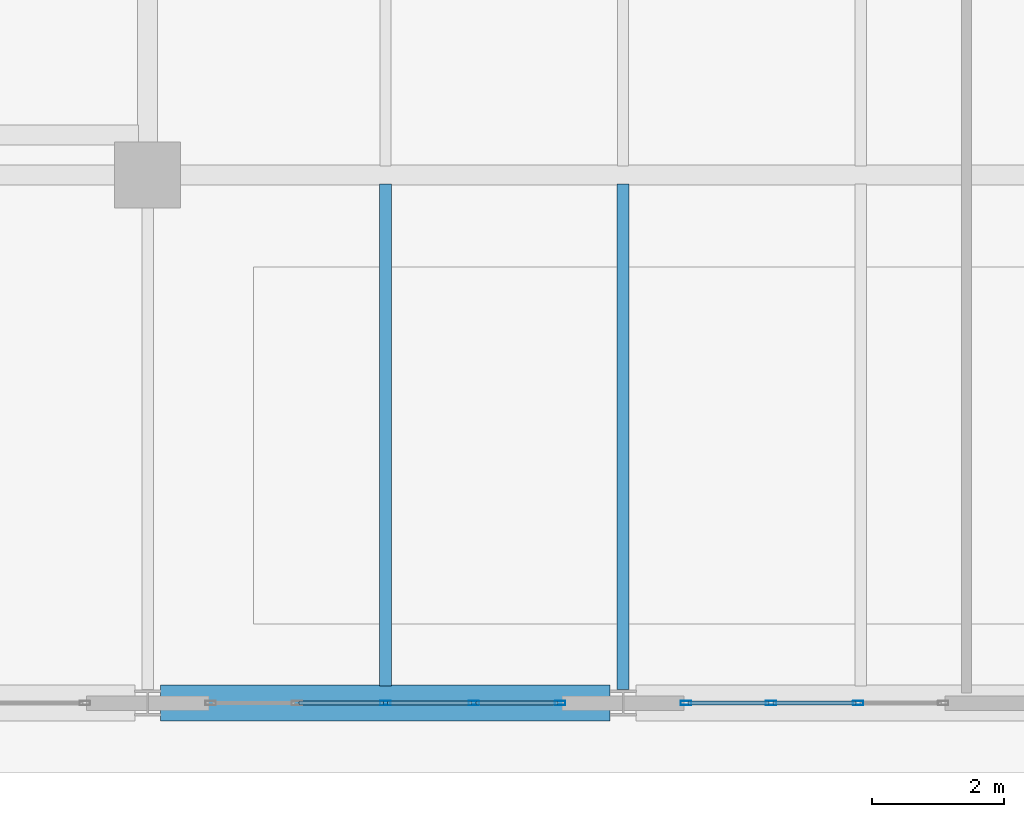
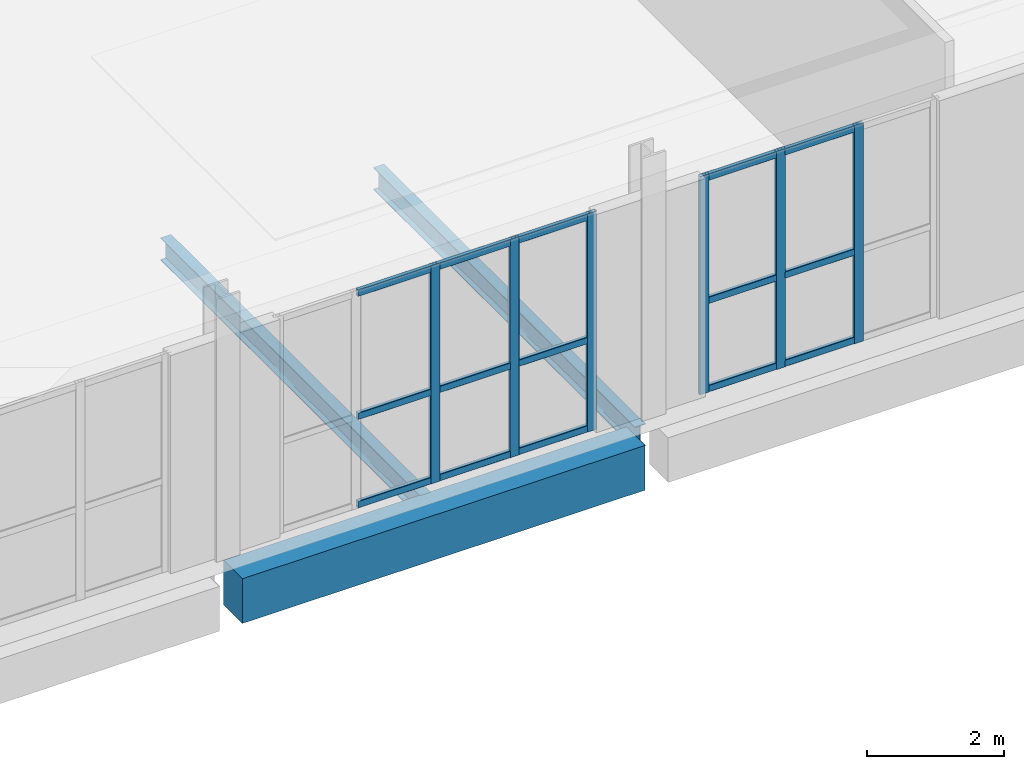
# One storey, part 15 of 36: 21 members, 3 beams, 2 elements without a shape of their own.
"""IFC4 building model written with IfcOpenShell, lengths in metres."""

from ifc_helpers import new_model, si_unit, direction, frame, origin, origin_2d, place, context, subcontext, project, spatial, rectangle, hollow_rectangle, i_section, extrude, material, layer, layer_set, material_profile, profile_set, type_object, element, aggregate, save


model = new_model("IFC4")

# Units and contexts
model_context = context("Model", 3, precision=1e-05, world=origin(), true_north=direction((0.0, 1.0)))
body_context = subcontext(model_context, "Body", "Model", "MODEL_VIEW")
ifc_project = project(units=[si_unit("LENGTHUNIT", "METRE"), si_unit("AREAUNIT", "SQUARE_METRE"), si_unit("VOLUMEUNIT", "CUBIC_METRE"), si_unit("PLANEANGLEUNIT", "RADIAN"), si_unit("MASSUNIT", "GRAM", prefix="KILO")], contexts=[model_context])

# Site, building, storey
site_placement = place(None, origin())
site = spatial("IfcSite", under=ifc_project, at=site_placement, CompositionType="ELEMENT")
building_placement = place(site_placement, origin())
building = spatial("IfcBuilding", under=site, at=building_placement, Name="Kaelvorn Grand Hotel", CompositionType="ELEMENT")
storey_placement = place(building_placement, frame((0.0, 0.0, 305.699951171875)))
storey = spatial("IfcBuildingStorey", under=building, at=storey_placement, Name="L74", CompositionType="ELEMENT", Elevation=305.699951171875)

# Beams
ifc_material_1 = material(Name="Steel S355", Category="steel")
ifc_material_profile_1 = material_profile(ifc_material_1, i_section(OverallWidth=0.179931640625, OverallDepth=0.39990234375, WebThickness=0.008544921875, FlangeThickness=0.013427734375, FilletRadius=0.02099609375, at=origin_2d()), Name="IPE 400")
ifc_profile_set_1 = profile_set([ifc_material_profile_1], Name="Steel S355")
beam_type_1 = type_object("IfcBeamType", Name="BM-J-IPE400-S355", PredefinedType="JOIST", material=ifc_profile_set_1)
beam_1_placement = place(storey_placement, frame((49.800048828125, 7.260009765625, -0.579833984375), z_axis=(0.0, 1.0, 0.0), x_axis=(-1.0, 0.0, 0.0)))
element("IfcBeam", 1, at=beam_1_placement, inside=storey, type_object=beam_type_1, Name="L74 Composite Floor Joist JS-14", PredefinedType="JOIST", context=body_context, shape_type="SweptSolid", body=[
    extrude(i_section(OverallWidth=0.179931640625, OverallDepth=0.39990234375, WebThickness=0.008544921875, FlangeThickness=0.013427734375, FilletRadius=0.02099609375, at=origin_2d()), origin(), (0.0, 0.0, 1.0), 7.60400390625),
])
beam_2_placement = place(storey_placement, frame((53.39990234375, 7.205078125, -0.579833984375), z_axis=(0.0, 1.0, 0.0), x_axis=(-1.0, 0.0, 0.0)))
element("IfcBeam", 2, at=beam_2_placement, inside=storey, type_object=beam_type_1, Name="L74 Composite Floor Joist JS-15", PredefinedType="JOIST", context=body_context, shape_type="SweptSolid", body=[
    extrude(i_section(OverallWidth=0.179931640625, OverallDepth=0.39990234375, WebThickness=0.008544921875, FlangeThickness=0.013427734375, FilletRadius=0.02099609375, at=origin_2d()), origin(), (0.0, 0.0, 1.0), 7.658935546875),
])
ifc_material_2 = material(Name="Concrete C50/60", Category="concrete")
ifc_material_profile_2 = material_profile(ifc_material_2, rectangle(XDim=0.550048828125, YDim=0.800048828125, at=origin_2d()), Name="RC SPANDREL 550x800")
ifc_profile_set_2 = profile_set([ifc_material_profile_2], Name="Concrete C50/60")
beam_type_2 = type_object("IfcBeamType", Name="BM-SP-550x800-C50", PredefinedType="SPANDREL", material=ifc_profile_set_2)
beam_3_placement = place(storey_placement, frame((46.39501953125, 7.0, -0.780029296875), z_axis=(1.0, 0.0, 0.0), x_axis=(0.0, 1.0, 0.0)))
element("IfcBeam", 3, at=beam_3_placement, inside=storey, type_object=beam_type_2, Name="L74 South Perimeter Spandrel 06", PredefinedType="SPANDREL", context=body_context, shape_type="SweptSolid", body=[
    extrude(rectangle(XDim=0.550048828125, YDim=0.800048828125, at=origin_2d()), origin(), (0.0, 0.0, 1.0), 6.81005859375),
])

# Curtain wall, members
ifc_material_3 = material(Name="Anodised Aluminium", Category="aluminium")
ifc_layer = layer(ifc_material_3, 0.159912109375)
ifc_layer_set = layer_set([ifc_layer], Name="Anodised Aluminium")
curtain_wall_type = type_object("IfcCurtainWallType", Name="CW-SYS6", PredefinedType="NOTDEFINED", material=ifc_layer_set)
curtain_wall_1_placement = place(storey_placement, origin())
curtain_wall_1 = element("IfcCurtainWall", 4, at=curtain_wall_1_placement, inside=storey, type_object=curtain_wall_type, Name="L74 Unitised Curtain Wall CW6 (CW-L74-S-06)", PredefinedType="NOTDEFINED")
ifc_material_profile_3 = material_profile(ifc_material_3, hollow_rectangle(XDim=0.06494140625, YDim=0.159912109375, WallThickness=0.00341796875, InnerFilletRadius=0.00341796875, OuterFilletRadius=0.007080078125, at=origin_2d()), Name="ALU MULL 65x160")
ifc_profile_set_3 = profile_set([ifc_material_profile_3], Name="Anodised Aluminium")
member_type_1 = type_object("IfcMemberType", Name="CW-SYS6-MULL", PredefinedType="MULLION", material=ifc_profile_set_3)
member_1_placement = place(storey_placement, frame((49.800048828125, 7.0, 0.0), z_axis=(0.0, 0.0, 1.0), x_axis=(0.0, 1.0, 0.0)))
member_1 = element("IfcMember", 5, at=member_1_placement, type_object=member_type_1, Name="CW6 mullion 3", PredefinedType="MULLION", context=body_context, shape_type="SweptSolid", body=[
    extrude(hollow_rectangle(XDim=0.06494140625, YDim=0.159912109375, WallThickness=0.00341796875, InnerFilletRadius=0.00341796875, OuterFilletRadius=0.007080078125, at=origin_2d()), origin(), (0.0, 0.0, 1.0), 3.900146484375),
])
member_2_placement = place(storey_placement, frame((51.139892578125, 7.0, 0.0), z_axis=(0.0, 0.0, 1.0), x_axis=(0.0, 1.0, 0.0)))
member_2 = element("IfcMember", 6, at=member_2_placement, type_object=member_type_1, Name="CW6 mullion 4", PredefinedType="MULLION", context=body_context, shape_type="SweptSolid", body=[
    extrude(hollow_rectangle(XDim=0.06494140625, YDim=0.159912109375, WallThickness=0.00341796875, InnerFilletRadius=0.00341796875, OuterFilletRadius=0.007080078125, at=origin_2d()), origin(), (0.0, 0.0, 1.0), 3.900146484375),
])
member_3_placement = place(storey_placement, frame((52.447509765625, 7.0, 0.0), z_axis=(0.0, 0.0, 1.0), x_axis=(0.0, 1.0, 0.0)))
member_3 = element("IfcMember", 7, at=member_3_placement, type_object=member_type_1, Name="CW6 mullion 5", PredefinedType="MULLION", context=body_context, shape_type="SweptSolid", body=[
    extrude(hollow_rectangle(XDim=0.06494140625, YDim=0.159912109375, WallThickness=0.00341796875, InnerFilletRadius=0.00341796875, OuterFilletRadius=0.007080078125, at=origin_2d()), origin(), (0.0, 0.0, 1.0), 3.900146484375),
])

curtain_wall_2_placement = place(storey_placement, origin())
curtain_wall_2 = element("IfcCurtainWall", 8, at=curtain_wall_2_placement, inside=storey, type_object=curtain_wall_type, Name="L74 Unitised Curtain Wall CW6 (CW-L74-S-07)", PredefinedType="NOTDEFINED")
member_4_placement = place(storey_placement, frame((54.3525390625, 7.0, 0.0), z_axis=(0.0, 0.0, 1.0), x_axis=(0.0, 1.0, 0.0)))
member_4 = element("IfcMember", 9, at=member_4_placement, type_object=member_type_1, Name="CW6 mullion 1", PredefinedType="MULLION", context=body_context, shape_type="SweptSolid", body=[
    extrude(hollow_rectangle(XDim=0.06494140625, YDim=0.159912109375, WallThickness=0.00341796875, InnerFilletRadius=0.00341796875, OuterFilletRadius=0.007080078125, at=origin_2d()), origin(), (0.0, 0.0, 1.0), 3.900146484375),
])
member_5_placement = place(storey_placement, frame((55.639892578125, 7.0, 0.0), z_axis=(0.0, 0.0, 1.0), x_axis=(0.0, 1.0, 0.0)))
member_5 = element("IfcMember", 10, at=member_5_placement, type_object=member_type_1, Name="CW6 mullion 2", PredefinedType="MULLION", context=body_context, shape_type="SweptSolid", body=[
    extrude(hollow_rectangle(XDim=0.06494140625, YDim=0.159912109375, WallThickness=0.00341796875, InnerFilletRadius=0.00341796875, OuterFilletRadius=0.007080078125, at=origin_2d()), origin(), (0.0, 0.0, 1.0), 3.900146484375),
])
member_6_placement = place(storey_placement, frame((56.9599609375, 7.0, 0.0), z_axis=(0.0, 0.0, 1.0), x_axis=(0.0, 1.0, 0.0)))
member_6 = element("IfcMember", 11, at=member_6_placement, type_object=member_type_1, Name="CW6 mullion 3", PredefinedType="MULLION", context=body_context, shape_type="SweptSolid", body=[
    extrude(hollow_rectangle(XDim=0.06494140625, YDim=0.159912109375, WallThickness=0.00341796875, InnerFilletRadius=0.00341796875, OuterFilletRadius=0.007080078125, at=origin_2d()), origin(), (0.0, 0.0, 1.0), 3.900146484375),
])

# Member
ifc_material_profile_4 = material_profile(ifc_material_3, hollow_rectangle(XDim=0.06494140625, YDim=0.1201171875, WallThickness=0.00341796875, InnerFilletRadius=0.00341796875, OuterFilletRadius=0.007080078125, at=origin_2d()), Name="ALU TRAN 65x120")
ifc_profile_set_4 = profile_set([ifc_material_profile_4], Name="Anodised Aluminium")
member_type_2 = type_object("IfcMemberType", Name="CW-SYS6-TRAN", PredefinedType="NOTDEFINED", material=ifc_profile_set_4)
member_7_placement = place(storey_placement, frame((48.492431640625, 7.0, 0.06005859375), z_axis=(1.0, 0.0, 0.0), x_axis=(0.0, 1.0, 0.0)))
member_7 = element("IfcMember", 12, at=member_7_placement, type_object=member_type_2, Name="CW6 transom 2.1", ObjectType="TRANSOM", PredefinedType="USERDEFINED", context=body_context, shape_type="SweptSolid", body=[
    extrude(hollow_rectangle(XDim=0.06494140625, YDim=0.1201171875, WallThickness=0.00341796875, InnerFilletRadius=0.00341796875, OuterFilletRadius=0.007080078125, at=origin_2d()), origin(), (0.0, 0.0, 1.0), 1.275146484375),
])

member_8_placement = place(storey_placement, frame((48.492431640625, 7.0, 1.637939453125), z_axis=(1.0, 0.0, 0.0), x_axis=(0.0, 1.0, 0.0)))
member_8 = element("IfcMember", 13, at=member_8_placement, type_object=member_type_2, Name="CW6 transom 2.2", ObjectType="TRANSOM", PredefinedType="USERDEFINED", context=body_context, shape_type="SweptSolid", body=[
    extrude(hollow_rectangle(XDim=0.06494140625, YDim=0.1201171875, WallThickness=0.00341796875, InnerFilletRadius=0.00341796875, OuterFilletRadius=0.007080078125, at=origin_2d()), origin(), (0.0, 0.0, 1.0), 1.275146484375),
])

member_9_placement = place(storey_placement, frame((48.492431640625, 7.0, 3.840087890625), z_axis=(1.0, 0.0, 0.0), x_axis=(0.0, 1.0, 0.0)))
member_9 = element("IfcMember", 14, at=member_9_placement, type_object=member_type_2, Name="CW6 transom 2.3", ObjectType="TRANSOM", PredefinedType="USERDEFINED", context=body_context, shape_type="SweptSolid", body=[
    extrude(hollow_rectangle(XDim=0.06494140625, YDim=0.1201171875, WallThickness=0.00341796875, InnerFilletRadius=0.00341796875, OuterFilletRadius=0.007080078125, at=origin_2d()), origin(), (0.0, 0.0, 1.0), 1.275146484375),
])

member_10_placement = place(storey_placement, frame((49.83251953125, 7.0, 0.06005859375), z_axis=(1.0, 0.0, 0.0), x_axis=(0.0, 1.0, 0.0)))
member_10 = element("IfcMember", 15, at=member_10_placement, type_object=member_type_2, Name="CW6 transom 3.1", ObjectType="TRANSOM", PredefinedType="USERDEFINED", context=body_context, shape_type="SweptSolid", body=[
    extrude(hollow_rectangle(XDim=0.06494140625, YDim=0.1201171875, WallThickness=0.00341796875, InnerFilletRadius=0.00341796875, OuterFilletRadius=0.007080078125, at=origin_2d()), origin(), (0.0, 0.0, 1.0), 1.27490234375),
])

member_11_placement = place(storey_placement, frame((49.83251953125, 7.0, 1.637939453125), z_axis=(1.0, 0.0, 0.0), x_axis=(0.0, 1.0, 0.0)))
member_11 = element("IfcMember", 16, at=member_11_placement, type_object=member_type_2, Name="CW6 transom 3.2", ObjectType="TRANSOM", PredefinedType="USERDEFINED", context=body_context, shape_type="SweptSolid", body=[
    extrude(hollow_rectangle(XDim=0.06494140625, YDim=0.1201171875, WallThickness=0.00341796875, InnerFilletRadius=0.00341796875, OuterFilletRadius=0.007080078125, at=origin_2d()), origin(), (0.0, 0.0, 1.0), 1.27490234375),
])

member_12_placement = place(storey_placement, frame((49.83251953125, 7.0, 3.840087890625), z_axis=(1.0, 0.0, 0.0), x_axis=(0.0, 1.0, 0.0)))
member_12 = element("IfcMember", 17, at=member_12_placement, type_object=member_type_2, Name="CW6 transom 3.3", ObjectType="TRANSOM", PredefinedType="USERDEFINED", context=body_context, shape_type="SweptSolid", body=[
    extrude(hollow_rectangle(XDim=0.06494140625, YDim=0.1201171875, WallThickness=0.00341796875, InnerFilletRadius=0.00341796875, OuterFilletRadius=0.007080078125, at=origin_2d()), origin(), (0.0, 0.0, 1.0), 1.27490234375),
])

member_13_placement = place(storey_placement, frame((51.172607421875, 7.0, 0.06005859375), z_axis=(1.0, 0.0, 0.0), x_axis=(0.0, 1.0, 0.0)))
member_13 = element("IfcMember", 18, at=member_13_placement, type_object=member_type_2, Name="CW6 transom 4.1", ObjectType="TRANSOM", PredefinedType="USERDEFINED", context=body_context, shape_type="SweptSolid", body=[
    extrude(hollow_rectangle(XDim=0.06494140625, YDim=0.1201171875, WallThickness=0.00341796875, InnerFilletRadius=0.00341796875, OuterFilletRadius=0.007080078125, at=origin_2d()), origin(), (0.0, 0.0, 1.0), 1.242431640625),
])

member_14_placement = place(storey_placement, frame((51.172607421875, 7.0, 1.637939453125), z_axis=(1.0, 0.0, 0.0), x_axis=(0.0, 1.0, 0.0)))
member_14 = element("IfcMember", 19, at=member_14_placement, type_object=member_type_2, Name="CW6 transom 4.2", ObjectType="TRANSOM", PredefinedType="USERDEFINED", context=body_context, shape_type="SweptSolid", body=[
    extrude(hollow_rectangle(XDim=0.06494140625, YDim=0.1201171875, WallThickness=0.00341796875, InnerFilletRadius=0.00341796875, OuterFilletRadius=0.007080078125, at=origin_2d()), origin(), (0.0, 0.0, 1.0), 1.242431640625),
])

member_15_placement = place(storey_placement, frame((51.172607421875, 7.0, 3.840087890625), z_axis=(1.0, 0.0, 0.0), x_axis=(0.0, 1.0, 0.0)))
member_15 = element("IfcMember", 20, at=member_15_placement, type_object=member_type_2, Name="CW6 transom 4.3", ObjectType="TRANSOM", PredefinedType="USERDEFINED", context=body_context, shape_type="SweptSolid", body=[
    extrude(hollow_rectangle(XDim=0.06494140625, YDim=0.1201171875, WallThickness=0.00341796875, InnerFilletRadius=0.00341796875, OuterFilletRadius=0.007080078125, at=origin_2d()), origin(), (0.0, 0.0, 1.0), 1.242431640625),
])

aggregate(curtain_wall_1, [member_1, member_2, member_3, member_7, member_8, member_9, member_10, member_11, member_12, member_13, member_14, member_15])

member_16_placement = place(storey_placement, frame((54.385009765625, 7.0, 0.06005859375), z_axis=(1.0, 0.0, 0.0), x_axis=(0.0, 1.0, 0.0)))
member_16 = element("IfcMember", 21, at=member_16_placement, type_object=member_type_2, Name="CW6 transom 1.1", ObjectType="TRANSOM", PredefinedType="USERDEFINED", context=body_context, shape_type="SweptSolid", body=[
    extrude(hollow_rectangle(XDim=0.06494140625, YDim=0.1201171875, WallThickness=0.00341796875, InnerFilletRadius=0.00341796875, OuterFilletRadius=0.007080078125, at=origin_2d()), origin(), (0.0, 0.0, 1.0), 1.222412109375),
])

member_17_placement = place(storey_placement, frame((54.385009765625, 7.0, 1.637939453125), z_axis=(1.0, 0.0, 0.0), x_axis=(0.0, 1.0, 0.0)))
member_17 = element("IfcMember", 22, at=member_17_placement, type_object=member_type_2, Name="CW6 transom 1.2", ObjectType="TRANSOM", PredefinedType="USERDEFINED", context=body_context, shape_type="SweptSolid", body=[
    extrude(hollow_rectangle(XDim=0.06494140625, YDim=0.1201171875, WallThickness=0.00341796875, InnerFilletRadius=0.00341796875, OuterFilletRadius=0.007080078125, at=origin_2d()), origin(), (0.0, 0.0, 1.0), 1.222412109375),
])

member_18_placement = place(storey_placement, frame((54.385009765625, 7.0, 3.840087890625), z_axis=(1.0, 0.0, 0.0), x_axis=(0.0, 1.0, 0.0)))
member_18 = element("IfcMember", 23, at=member_18_placement, type_object=member_type_2, Name="CW6 transom 1.3", ObjectType="TRANSOM", PredefinedType="USERDEFINED", context=body_context, shape_type="SweptSolid", body=[
    extrude(hollow_rectangle(XDim=0.06494140625, YDim=0.1201171875, WallThickness=0.00341796875, InnerFilletRadius=0.00341796875, OuterFilletRadius=0.007080078125, at=origin_2d()), origin(), (0.0, 0.0, 1.0), 1.222412109375),
])

member_19_placement = place(storey_placement, frame((55.672607421875, 7.0, 0.06005859375), z_axis=(1.0, 0.0, 0.0), x_axis=(0.0, 1.0, 0.0)))
member_19 = element("IfcMember", 24, at=member_19_placement, type_object=member_type_2, Name="CW6 transom 2.1", ObjectType="TRANSOM", PredefinedType="USERDEFINED", context=body_context, shape_type="SweptSolid", body=[
    extrude(hollow_rectangle(XDim=0.06494140625, YDim=0.1201171875, WallThickness=0.00341796875, InnerFilletRadius=0.00341796875, OuterFilletRadius=0.007080078125, at=origin_2d()), origin(), (0.0, 0.0, 1.0), 1.2548828125),
])

member_20_placement = place(storey_placement, frame((55.672607421875, 7.0, 1.637939453125), z_axis=(1.0, 0.0, 0.0), x_axis=(0.0, 1.0, 0.0)))
member_20 = element("IfcMember", 25, at=member_20_placement, type_object=member_type_2, Name="CW6 transom 2.2", ObjectType="TRANSOM", PredefinedType="USERDEFINED", context=body_context, shape_type="SweptSolid", body=[
    extrude(hollow_rectangle(XDim=0.06494140625, YDim=0.1201171875, WallThickness=0.00341796875, InnerFilletRadius=0.00341796875, OuterFilletRadius=0.007080078125, at=origin_2d()), origin(), (0.0, 0.0, 1.0), 1.2548828125),
])

member_21_placement = place(storey_placement, frame((55.672607421875, 7.0, 3.840087890625), z_axis=(1.0, 0.0, 0.0), x_axis=(0.0, 1.0, 0.0)))
member_21 = element("IfcMember", 26, at=member_21_placement, type_object=member_type_2, Name="CW6 transom 2.3", ObjectType="TRANSOM", PredefinedType="USERDEFINED", context=body_context, shape_type="SweptSolid", body=[
    extrude(hollow_rectangle(XDim=0.06494140625, YDim=0.1201171875, WallThickness=0.00341796875, InnerFilletRadius=0.00341796875, OuterFilletRadius=0.007080078125, at=origin_2d()), origin(), (0.0, 0.0, 1.0), 1.2548828125),
])

aggregate(curtain_wall_2, [member_4, member_5, member_6, member_16, member_17, member_18, member_19, member_20, member_21])

save(model, "model.ifc")
